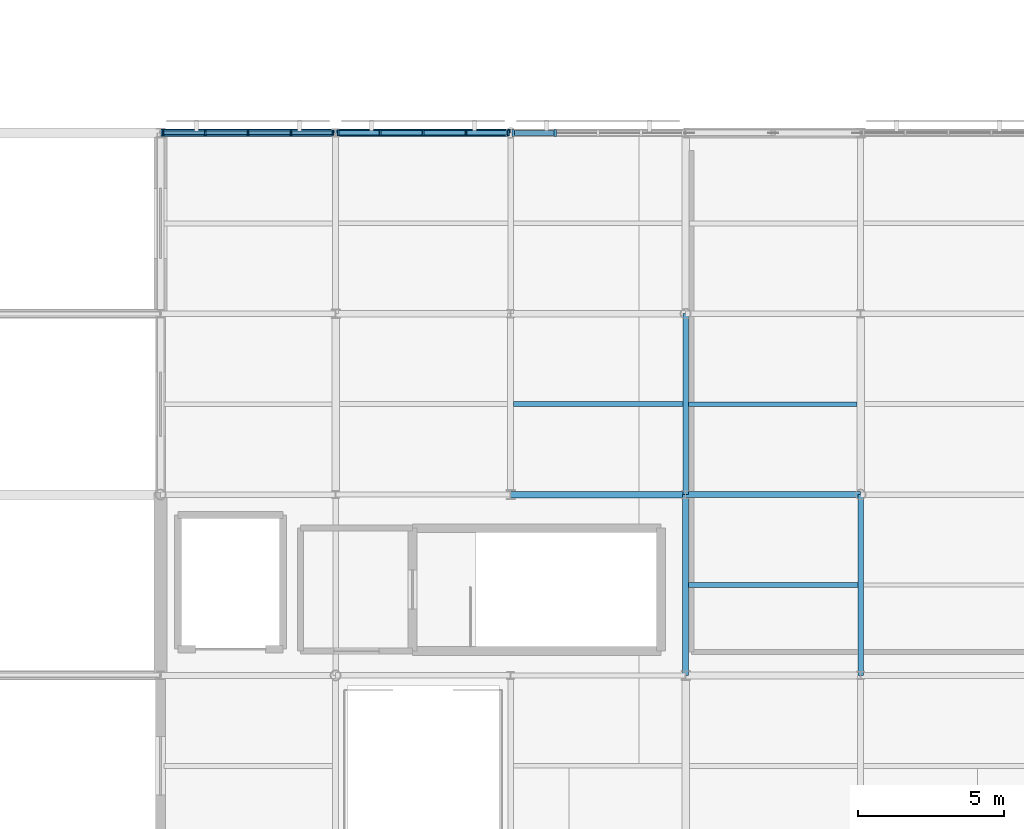
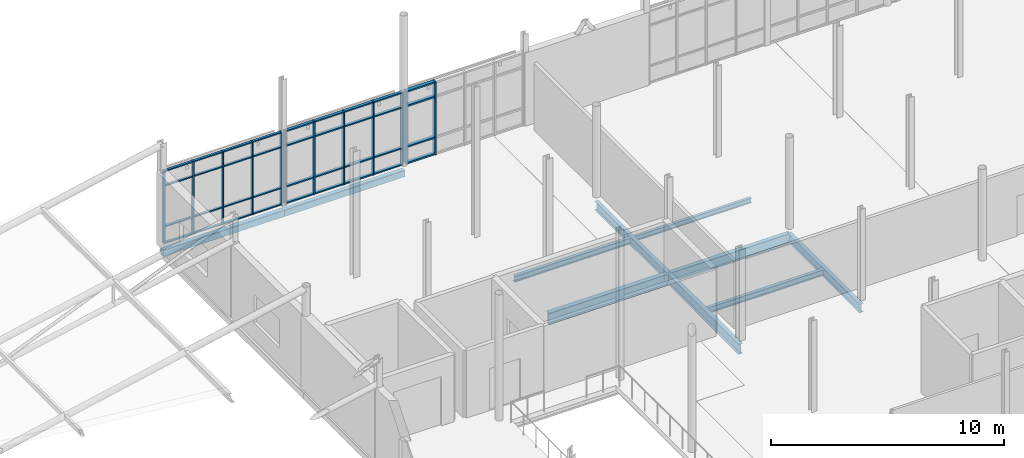
# One storey, part 30 of 84: 48 members, 10 beams, 3 elements without a shape of their own.
"""IFC4 building model written with IfcOpenShell, lengths in metres."""

from ifc_helpers import new_model, si_unit, direction, frame, origin, origin_2d, place, context, subcontext, project, spatial, rectangle, hollow_rectangle, i_section, extrude, material, layer, layer_set, material_profile, profile_set, type_object, element, aggregate, save


model = new_model("IFC4")

# Units and contexts
model_context = context("Model", 3, precision=1e-05, world=origin(), true_north=direction((0.0, 1.0)))
body_context = subcontext(model_context, "Body", "Model", "MODEL_VIEW")
ifc_project = project(units=[si_unit("LENGTHUNIT", "METRE"), si_unit("AREAUNIT", "SQUARE_METRE"), si_unit("VOLUMEUNIT", "CUBIC_METRE"), si_unit("PLANEANGLEUNIT", "RADIAN"), si_unit("MASSUNIT", "GRAM", prefix="KILO")], contexts=[model_context])

# Site, building, storey
site_placement = place(None, origin())
site = spatial("IfcSite", under=ifc_project, at=site_placement, CompositionType="ELEMENT")
building_placement = place(site_placement, origin())
building = spatial("IfcBuilding", under=site, at=building_placement, Name="Mirzam Square Science Centre", CompositionType="ELEMENT")
storey_placement = place(building_placement, frame((0.0, 0.0, 10.800048828125)))
storey = spatial("IfcBuildingStorey", under=building, at=storey_placement, Name="L02", CompositionType="ELEMENT", Elevation=10.800048828125)

# Beams
ifc_material_1 = material(Name="Steel S355", Category="steel")
ifc_material_profile_1 = material_profile(ifc_material_1, i_section(OverallWidth=0.19140625, OverallDepth=0.4599609375, WebThickness=0.010009765625, FlangeThickness=0.01611328125, FilletRadius=0.01025390625, at=origin_2d()), Name="457x191x82UB")
ifc_profile_set_1 = profile_set([ifc_material_profile_1], Name="Steel S355")
beam_type_1 = type_object("IfcBeamType", Name="BM-UB457", PredefinedType="BEAM", material=ifc_profile_set_1)
for number, where, z_axis, x_axis, name in (
    (1, (36.0, 68.199951171875, -0.489990234375), (0.0, 1.0, 0.0), (-1.0, 0.0, 0.0), "L02 girder Y7-12"),
    (2, (42.0, 62.0, -0.489990234375), (0.0, 1.0, 0.0), (-1.0, 0.0, 0.0), "L02 girder Y8-11"),
):
    element("IfcBeam", number, at=place(storey_placement, frame(where, z_axis=z_axis, x_axis=x_axis)), inside=storey, type_object=beam_type_1, Name=name, PredefinedType="BEAM", context=body_context, shape_type="SweptSolid", body=[
        extrude(i_section(OverallWidth=0.19140625, OverallDepth=0.4599609375, WebThickness=0.010009765625, FlangeThickness=0.01611328125, FilletRadius=0.01025390625, at=origin_2d()), origin(), (0.0, 0.0, 1.0), 6.199951171875),
    ])
ifc_material_profile_2 = material_profile(ifc_material_1, i_section(OverallWidth=0.2099609375, OverallDepth=0.53662109375, WebThickness=0.0107421875, FlangeThickness=0.017333984375, FilletRadius=0.0126953125, at=origin_2d()), Name="533x210x101UB")
ifc_profile_set_2 = profile_set([ifc_material_profile_2], Name="Steel S355")
beam_type_2 = type_object("IfcBeamType", Name="BM-UB533", PredefinedType="BEAM", material=ifc_profile_set_2)
beam_1_placement = place(storey_placement, frame((36.0, 68.199951171875, -0.528564453125), z_axis=(1.0, 0.0, 0.0), x_axis=(0.0, 1.0, 0.0)))
element("IfcBeam", 3, at=beam_1_placement, inside=storey, type_object=beam_type_2, Name="L02 girder X7-12", PredefinedType="BEAM", context=body_context, shape_type="SweptSolid", body=[
    extrude(i_section(OverallWidth=0.2099609375, OverallDepth=0.53662109375, WebThickness=0.0107421875, FlangeThickness=0.017333984375, FilletRadius=0.0126953125, at=origin_2d()), origin(), (0.0, 0.0, 1.0), 6.0),
])
beam_2_placement = place(storey_placement, frame((36.0, 62.0, -0.528564453125), z_axis=(0.0, 1.0, 0.0), x_axis=(-1.0, 0.0, 0.0)))
element("IfcBeam", 4, at=beam_2_placement, inside=storey, type_object=beam_type_2, Name="L02 girder Y7-11", PredefinedType="BEAM", context=body_context, shape_type="SweptSolid", body=[
    extrude(i_section(OverallWidth=0.2099609375, OverallDepth=0.53662109375, WebThickness=0.0107421875, FlangeThickness=0.017333984375, FilletRadius=0.0126953125, at=origin_2d()), origin(), (0.0, 0.0, 1.0), 6.199951171875),
])
ifc_material_profile_3 = material_profile(ifc_material_1, i_section(OverallWidth=0.22900390625, OverallDepth=0.6123046875, WebThickness=0.011962890625, FlangeThickness=0.01953125, FilletRadius=0.0126953125, at=origin_2d()), Name="610x229x125UB")
ifc_profile_set_3 = profile_set([ifc_material_profile_3], Name="Steel S355")
beam_type_3 = type_object("IfcBeamType", Name="BM-UB610", PredefinedType="BEAM", material=ifc_profile_set_3)
beam_3_placement = place(storey_placement, frame((30.0, 68.199951171875, -0.566162109375), z_axis=(1.0, 0.0, 0.0), x_axis=(0.0, 1.0, 0.0)))
element("IfcBeam", 5, at=beam_3_placement, inside=storey, type_object=beam_type_3, Name="L02 girder X6-12", PredefinedType="BEAM", context=body_context, shape_type="SweptSolid", body=[
    extrude(i_section(OverallWidth=0.22900390625, OverallDepth=0.6123046875, WebThickness=0.011962890625, FlangeThickness=0.01953125, FilletRadius=0.0126953125, at=origin_2d()), origin(), (0.0, 0.0, 1.0), 6.0),
])

# Curtain wall, members
ifc_material_2 = material(Name="Anodised Aluminium and Low-E Solar Glass", Category="aluminium")
ifc_layer_1 = layer(ifc_material_2, 0.219970703125)
ifc_layer_set_1 = layer_set([ifc_layer_1], Name="CW-OBS-A")
curtain_wall_type_1 = type_object("IfcCurtainWallType", Name="CW-OBS-A", PredefinedType="USERDEFINED", material=ifc_layer_set_1)
curtain_wall_1_placement = place(storey_placement, origin())
curtain_wall_1 = element("IfcCurtainWall", 6, at=curtain_wall_1_placement, inside=storey, type_object=curtain_wall_type_1, Name="L02 unitised curtain wall 21", ObjectType="UNITISED CURTAIN WALL", PredefinedType="USERDEFINED")
ifc_material_3 = material(Name="Anodised Architectural Aluminium 6063-T6", Category="aluminium")
ifc_material_profile_4 = material_profile(ifc_material_3, rectangle(XDim=0.06005859375, YDim=0.159912109375, at=origin_2d()), Name="ALU-MULL-160x60x4")
ifc_profile_set_4 = profile_set([ifc_material_profile_4], Name="Anodised Architectural Aluminium 6063-T6")
member_type_1 = type_object("IfcMemberType", Name="CWM-160", PredefinedType="MULLION", material=ifc_profile_set_4)
member_1_placement = place(storey_placement, frame((23.9150390625, 80.60009765625, 0.0), z_axis=(0.0, 0.0, 1.0), x_axis=(-1.0, 0.0, 0.0)))
member_1 = element("IfcMember", 7, at=member_1_placement, type_object=member_type_1, Name="CW-07 mullion 1", PredefinedType="MULLION", context=body_context, shape_type="SweptSolid", body=[
    extrude(rectangle(XDim=0.06005859375, YDim=0.159912109375, at=origin_2d()), origin(), (0.0, 0.0, 1.0), 3.83984375),
])
member_2_placement = place(storey_placement, frame((22.472412109375, 80.60009765625, 0.0), z_axis=(0.0, 0.0, 1.0), x_axis=(-1.0, 0.0, 0.0)))
member_2 = element("IfcMember", 8, at=member_2_placement, type_object=member_type_1, Name="CW-07 mullion 2", PredefinedType="MULLION", context=body_context, shape_type="SweptSolid", body=[
    extrude(rectangle(XDim=0.06005859375, YDim=0.159912109375, at=origin_2d()), origin(), (0.0, 0.0, 1.0), 3.83984375),
])
member_3_placement = place(storey_placement, frame((21.0, 80.60009765625, 0.0), z_axis=(0.0, 0.0, 1.0), x_axis=(-1.0, 0.0, 0.0)))
member_3 = element("IfcMember", 9, at=member_3_placement, type_object=member_type_1, Name="CW-07 mullion 3", PredefinedType="MULLION", context=body_context, shape_type="SweptSolid", body=[
    extrude(rectangle(XDim=0.06005859375, YDim=0.159912109375, at=origin_2d()), origin(), (0.0, 0.0, 1.0), 3.83984375),
])
member_4_placement = place(storey_placement, frame((19.527587890625, 80.60009765625, 0.0), z_axis=(0.0, 0.0, 1.0), x_axis=(-1.0, 0.0, 0.0)))
member_4 = element("IfcMember", 10, at=member_4_placement, type_object=member_type_1, Name="CW-07 mullion 4", PredefinedType="MULLION", context=body_context, shape_type="SweptSolid", body=[
    extrude(rectangle(XDim=0.06005859375, YDim=0.159912109375, at=origin_2d()), origin(), (0.0, 0.0, 1.0), 3.83984375),
])
member_5_placement = place(storey_placement, frame((18.0849609375, 80.60009765625, 0.0), z_axis=(0.0, 0.0, 1.0), x_axis=(-1.0, 0.0, 0.0)))
member_5 = element("IfcMember", 11, at=member_5_placement, type_object=member_type_1, Name="CW-07 mullion 5", PredefinedType="MULLION", context=body_context, shape_type="SweptSolid", body=[
    extrude(rectangle(XDim=0.06005859375, YDim=0.159912109375, at=origin_2d()), origin(), (0.0, 0.0, 1.0), 3.83984375),
])

ifc_layer_2 = layer(ifc_material_2, 0.179931640625)
ifc_layer_set_2 = layer_set([ifc_layer_2], Name="CW-LINK-A")
curtain_wall_type_2 = type_object("IfcCurtainWallType", Name="CW-LINK-A", PredefinedType="USERDEFINED", material=ifc_layer_set_2)
curtain_wall_2_placement = place(storey_placement, origin())
curtain_wall_2 = element("IfcCurtainWall", 12, at=curtain_wall_2_placement, inside=storey, type_object=curtain_wall_type_2, Name="L02 unitised curtain wall 22", ObjectType="UNITISED CURTAIN WALL", PredefinedType="USERDEFINED")
ifc_material_profile_5 = material_profile(ifc_material_3, rectangle(XDim=0.06494140625, YDim=0.199951171875, at=origin_2d()), Name="ALU-MULL-200x65x5")
ifc_profile_set_5 = profile_set([ifc_material_profile_5], Name="Anodised Architectural Aluminium 6063-T6")
member_type_2 = type_object("IfcMemberType", Name="CWM-200", PredefinedType="MULLION", material=ifc_profile_set_5)
member_6_placement = place(storey_placement, frame((29.91259765625, 80.60009765625, 0.0), z_axis=(0.0, 0.0, 1.0), x_axis=(-1.0, 0.0, 0.0)))
member_6 = element("IfcMember", 13, at=member_6_placement, type_object=member_type_2, Name="CW-08 mullion 1", PredefinedType="MULLION", context=body_context, shape_type="SweptSolid", body=[
    extrude(rectangle(XDim=0.06494140625, YDim=0.199951171875, at=origin_2d()), origin(), (0.0, 0.0, 1.0), 3.83984375),
])
member_7_placement = place(storey_placement, frame((28.472412109375, 80.60009765625, 0.0), z_axis=(0.0, 0.0, 1.0), x_axis=(-1.0, 0.0, 0.0)))
member_7 = element("IfcMember", 14, at=member_7_placement, type_object=member_type_2, Name="CW-08 mullion 2", PredefinedType="MULLION", context=body_context, shape_type="SweptSolid", body=[
    extrude(rectangle(XDim=0.06494140625, YDim=0.199951171875, at=origin_2d()), origin(), (0.0, 0.0, 1.0), 3.83984375),
])
member_8_placement = place(storey_placement, frame((27.0, 80.60009765625, 0.0), z_axis=(0.0, 0.0, 1.0), x_axis=(-1.0, 0.0, 0.0)))
member_8 = element("IfcMember", 15, at=member_8_placement, type_object=member_type_2, Name="CW-08 mullion 3", PredefinedType="MULLION", context=body_context, shape_type="SweptSolid", body=[
    extrude(rectangle(XDim=0.06494140625, YDim=0.199951171875, at=origin_2d()), origin(), (0.0, 0.0, 1.0), 3.83984375),
])
member_9_placement = place(storey_placement, frame((25.527587890625, 80.60009765625, 0.0), z_axis=(0.0, 0.0, 1.0), x_axis=(-1.0, 0.0, 0.0)))
member_9 = element("IfcMember", 16, at=member_9_placement, type_object=member_type_2, Name="CW-08 mullion 4", PredefinedType="MULLION", context=body_context, shape_type="SweptSolid", body=[
    extrude(rectangle(XDim=0.06494140625, YDim=0.199951171875, at=origin_2d()), origin(), (0.0, 0.0, 1.0), 3.83984375),
])
member_10_placement = place(storey_placement, frame((24.08740234375, 80.60009765625, 0.0), z_axis=(0.0, 0.0, 1.0), x_axis=(-1.0, 0.0, 0.0)))
member_10 = element("IfcMember", 17, at=member_10_placement, type_object=member_type_2, Name="CW-08 mullion 5", PredefinedType="MULLION", context=body_context, shape_type="SweptSolid", body=[
    extrude(rectangle(XDim=0.06494140625, YDim=0.199951171875, at=origin_2d()), origin(), (0.0, 0.0, 1.0), 3.83984375),
])

ifc_layer_3 = layer(ifc_material_2, 0.179931640625)
ifc_layer_set_3 = layer_set([ifc_layer_3], Name="CW-PARK-A")
curtain_wall_type_3 = type_object("IfcCurtainWallType", Name="CW-PARK-A", PredefinedType="USERDEFINED", material=ifc_layer_set_3)
curtain_wall_3_placement = place(storey_placement, origin())
curtain_wall_3 = element("IfcCurtainWall", 18, at=curtain_wall_3_placement, inside=storey, type_object=curtain_wall_type_3, Name="L02 unitised curtain wall 23", ObjectType="UNITISED CURTAIN WALL", PredefinedType="USERDEFINED")
ifc_material_profile_6 = material_profile(ifc_material_3, rectangle(XDim=0.074951171875, YDim=0.239990234375, at=origin_2d()), Name="ALU-MULL-240x75x5")
ifc_profile_set_6 = profile_set([ifc_material_profile_6], Name="Anodised Architectural Aluminium 6063-T6")
member_type_3 = type_object("IfcMemberType", Name="CWM-240", PredefinedType="MULLION", material=ifc_profile_set_6)
member_11_placement = place(storey_placement, frame((31.527587890625, 80.60009765625, 0.0), z_axis=(0.0, 0.0, 1.0), x_axis=(-1.0, 0.0, 0.0)))
member_11 = element("IfcMember", 19, at=member_11_placement, type_object=member_type_3, Name="CW-01 mullion 4", PredefinedType="MULLION", context=body_context, shape_type="SweptSolid", body=[
    extrude(rectangle(XDim=0.074951171875, YDim=0.239990234375, at=origin_2d()), origin(), (0.0, 0.0, 1.0), 3.83984375),
])
member_12_placement = place(storey_placement, frame((30.092529296875, 80.60009765625, 0.0), z_axis=(0.0, 0.0, 1.0), x_axis=(-1.0, 0.0, 0.0)))
member_12 = element("IfcMember", 20, at=member_12_placement, type_object=member_type_3, Name="CW-01 mullion 5", PredefinedType="MULLION", context=body_context, shape_type="SweptSolid", body=[
    extrude(rectangle(XDim=0.074951171875, YDim=0.239990234375, at=origin_2d()), origin(), (0.0, 0.0, 1.0), 3.83984375),
])

# Member
ifc_material_profile_7 = material_profile(ifc_material_3, rectangle(XDim=0.1201171875, YDim=0.06005859375, at=origin_2d()), Name="ALU-TRAN-120x60x4")
ifc_profile_set_7 = profile_set([ifc_material_profile_7], Name="Anodised Architectural Aluminium 6063-T6")
member_type_4 = type_object("IfcMemberType", Name="CWT-120", PredefinedType="USERDEFINED", material=ifc_profile_set_7)
member_13_placement = place(storey_placement, frame((23.885009765625, 80.60009765625, 0.030029296875), z_axis=(-1.0, 0.0, 0.0), x_axis=(0.0, -1.0, 0.0)))
member_13 = element("IfcMember", 21, at=member_13_placement, type_object=member_type_4, Name="CW-07 transom 1.1", ObjectType="TRANSOM", PredefinedType="USERDEFINED", context=body_context, shape_type="SweptSolid", body=[
    extrude(rectangle(XDim=0.1201171875, YDim=0.06005859375, at=origin_2d()), origin(), (0.0, 0.0, 1.0), 1.382568359375),
])

member_14_placement = place(storey_placement, frame((23.885009765625, 80.60009765625, 0.89990234375), z_axis=(-1.0, 0.0, 0.0), x_axis=(0.0, -1.0, 0.0)))
member_14 = element("IfcMember", 22, at=member_14_placement, type_object=member_type_4, Name="CW-07 transom 1.2", ObjectType="TRANSOM", PredefinedType="USERDEFINED", context=body_context, shape_type="SweptSolid", body=[
    extrude(rectangle(XDim=0.1201171875, YDim=0.06005859375, at=origin_2d()), origin(), (0.0, 0.0, 1.0), 1.382568359375),
])

member_15_placement = place(storey_placement, frame((23.885009765625, 80.60009765625, 3.0400390625), z_axis=(-1.0, 0.0, 0.0), x_axis=(0.0, -1.0, 0.0)))
member_15 = element("IfcMember", 23, at=member_15_placement, type_object=member_type_4, Name="CW-07 transom 1.3", ObjectType="TRANSOM", PredefinedType="USERDEFINED", context=body_context, shape_type="SweptSolid", body=[
    extrude(rectangle(XDim=0.1201171875, YDim=0.06005859375, at=origin_2d()), origin(), (0.0, 0.0, 1.0), 1.382568359375),
])

member_16_placement = place(storey_placement, frame((23.885009765625, 80.60009765625, 3.81005859375), z_axis=(-1.0, 0.0, 0.0), x_axis=(0.0, -1.0, 0.0)))
member_16 = element("IfcMember", 24, at=member_16_placement, type_object=member_type_4, Name="CW-07 transom 1.4", ObjectType="TRANSOM", PredefinedType="USERDEFINED", context=body_context, shape_type="SweptSolid", body=[
    extrude(rectangle(XDim=0.1201171875, YDim=0.06005859375, at=origin_2d()), origin(), (0.0, 0.0, 1.0), 1.382568359375),
])

member_17_placement = place(storey_placement, frame((22.4423828125, 80.60009765625, 0.030029296875), z_axis=(-1.0, 0.0, 0.0), x_axis=(0.0, -1.0, 0.0)))
member_17 = element("IfcMember", 25, at=member_17_placement, type_object=member_type_4, Name="CW-07 transom 2.1", ObjectType="TRANSOM", PredefinedType="USERDEFINED", context=body_context, shape_type="SweptSolid", body=[
    extrude(rectangle(XDim=0.1201171875, YDim=0.06005859375, at=origin_2d()), origin(), (0.0, 0.0, 1.0), 1.412353515625),
])

member_18_placement = place(storey_placement, frame((22.4423828125, 80.60009765625, 0.89990234375), z_axis=(-1.0, 0.0, 0.0), x_axis=(0.0, -1.0, 0.0)))
member_18 = element("IfcMember", 26, at=member_18_placement, type_object=member_type_4, Name="CW-07 transom 2.2", ObjectType="TRANSOM", PredefinedType="USERDEFINED", context=body_context, shape_type="SweptSolid", body=[
    extrude(rectangle(XDim=0.1201171875, YDim=0.06005859375, at=origin_2d()), origin(), (0.0, 0.0, 1.0), 1.412353515625),
])

member_19_placement = place(storey_placement, frame((22.4423828125, 80.60009765625, 3.0400390625), z_axis=(-1.0, 0.0, 0.0), x_axis=(0.0, -1.0, 0.0)))
member_19 = element("IfcMember", 27, at=member_19_placement, type_object=member_type_4, Name="CW-07 transom 2.3", ObjectType="TRANSOM", PredefinedType="USERDEFINED", context=body_context, shape_type="SweptSolid", body=[
    extrude(rectangle(XDim=0.1201171875, YDim=0.06005859375, at=origin_2d()), origin(), (0.0, 0.0, 1.0), 1.412353515625),
])

member_20_placement = place(storey_placement, frame((22.4423828125, 80.60009765625, 3.81005859375), z_axis=(-1.0, 0.0, 0.0), x_axis=(0.0, -1.0, 0.0)))
member_20 = element("IfcMember", 28, at=member_20_placement, type_object=member_type_4, Name="CW-07 transom 2.4", ObjectType="TRANSOM", PredefinedType="USERDEFINED", context=body_context, shape_type="SweptSolid", body=[
    extrude(rectangle(XDim=0.1201171875, YDim=0.06005859375, at=origin_2d()), origin(), (0.0, 0.0, 1.0), 1.412353515625),
])

member_21_placement = place(storey_placement, frame((20.969970703125, 80.60009765625, 0.030029296875), z_axis=(-1.0, 0.0, 0.0), x_axis=(0.0, -1.0, 0.0)))
member_21 = element("IfcMember", 29, at=member_21_placement, type_object=member_type_4, Name="CW-07 transom 3.1", ObjectType="TRANSOM", PredefinedType="USERDEFINED", context=body_context, shape_type="SweptSolid", body=[
    extrude(rectangle(XDim=0.1201171875, YDim=0.06005859375, at=origin_2d()), origin(), (0.0, 0.0, 1.0), 1.412353515625),
])

member_22_placement = place(storey_placement, frame((20.969970703125, 80.60009765625, 0.89990234375), z_axis=(-1.0, 0.0, 0.0), x_axis=(0.0, -1.0, 0.0)))
member_22 = element("IfcMember", 30, at=member_22_placement, type_object=member_type_4, Name="CW-07 transom 3.2", ObjectType="TRANSOM", PredefinedType="USERDEFINED", context=body_context, shape_type="SweptSolid", body=[
    extrude(rectangle(XDim=0.1201171875, YDim=0.06005859375, at=origin_2d()), origin(), (0.0, 0.0, 1.0), 1.412353515625),
])

member_23_placement = place(storey_placement, frame((20.969970703125, 80.60009765625, 3.0400390625), z_axis=(-1.0, 0.0, 0.0), x_axis=(0.0, -1.0, 0.0)))
member_23 = element("IfcMember", 31, at=member_23_placement, type_object=member_type_4, Name="CW-07 transom 3.3", ObjectType="TRANSOM", PredefinedType="USERDEFINED", context=body_context, shape_type="SweptSolid", body=[
    extrude(rectangle(XDim=0.1201171875, YDim=0.06005859375, at=origin_2d()), origin(), (0.0, 0.0, 1.0), 1.412353515625),
])

member_24_placement = place(storey_placement, frame((20.969970703125, 80.60009765625, 3.81005859375), z_axis=(-1.0, 0.0, 0.0), x_axis=(0.0, -1.0, 0.0)))
member_24 = element("IfcMember", 32, at=member_24_placement, type_object=member_type_4, Name="CW-07 transom 3.4", ObjectType="TRANSOM", PredefinedType="USERDEFINED", context=body_context, shape_type="SweptSolid", body=[
    extrude(rectangle(XDim=0.1201171875, YDim=0.06005859375, at=origin_2d()), origin(), (0.0, 0.0, 1.0), 1.412353515625),
])

member_25_placement = place(storey_placement, frame((19.49755859375, 80.60009765625, 0.030029296875), z_axis=(-1.0, 0.0, 0.0), x_axis=(0.0, -1.0, 0.0)))
member_25 = element("IfcMember", 33, at=member_25_placement, type_object=member_type_4, Name="CW-07 transom 4.1", ObjectType="TRANSOM", PredefinedType="USERDEFINED", context=body_context, shape_type="SweptSolid", body=[
    extrude(rectangle(XDim=0.1201171875, YDim=0.06005859375, at=origin_2d()), origin(), (0.0, 0.0, 1.0), 1.382568359375),
])

member_26_placement = place(storey_placement, frame((19.49755859375, 80.60009765625, 0.89990234375), z_axis=(-1.0, 0.0, 0.0), x_axis=(0.0, -1.0, 0.0)))
member_26 = element("IfcMember", 34, at=member_26_placement, type_object=member_type_4, Name="CW-07 transom 4.2", ObjectType="TRANSOM", PredefinedType="USERDEFINED", context=body_context, shape_type="SweptSolid", body=[
    extrude(rectangle(XDim=0.1201171875, YDim=0.06005859375, at=origin_2d()), origin(), (0.0, 0.0, 1.0), 1.382568359375),
])

member_27_placement = place(storey_placement, frame((19.49755859375, 80.60009765625, 3.0400390625), z_axis=(-1.0, 0.0, 0.0), x_axis=(0.0, -1.0, 0.0)))
member_27 = element("IfcMember", 35, at=member_27_placement, type_object=member_type_4, Name="CW-07 transom 4.3", ObjectType="TRANSOM", PredefinedType="USERDEFINED", context=body_context, shape_type="SweptSolid", body=[
    extrude(rectangle(XDim=0.1201171875, YDim=0.06005859375, at=origin_2d()), origin(), (0.0, 0.0, 1.0), 1.382568359375),
])

member_28_placement = place(storey_placement, frame((19.49755859375, 80.60009765625, 3.81005859375), z_axis=(-1.0, 0.0, 0.0), x_axis=(0.0, -1.0, 0.0)))
member_28 = element("IfcMember", 36, at=member_28_placement, type_object=member_type_4, Name="CW-07 transom 4.4", ObjectType="TRANSOM", PredefinedType="USERDEFINED", context=body_context, shape_type="SweptSolid", body=[
    extrude(rectangle(XDim=0.1201171875, YDim=0.06005859375, at=origin_2d()), origin(), (0.0, 0.0, 1.0), 1.382568359375),
])

aggregate(curtain_wall_1, [member_1, member_2, member_3, member_4, member_5, member_13, member_14, member_15, member_16, member_17, member_18, member_19, member_20, member_21, member_22, member_23, member_24, member_25, member_26, member_27, member_28])

ifc_material_profile_8 = material_profile(ifc_material_3, rectangle(XDim=0.14990234375, YDim=0.06494140625, at=origin_2d()), Name="ALU-TRAN-150x65x4")
ifc_profile_set_8 = profile_set([ifc_material_profile_8], Name="Anodised Architectural Aluminium 6063-T6")
member_type_5 = type_object("IfcMemberType", Name="CWT-150", PredefinedType="USERDEFINED", material=ifc_profile_set_8)
member_29_placement = place(storey_placement, frame((29.8798828125, 80.60009765625, 0.032470703125), z_axis=(-1.0, 0.0, 0.0), x_axis=(0.0, -1.0, 0.0)))
member_29 = element("IfcMember", 37, at=member_29_placement, type_object=member_type_5, Name="CW-08 transom 1.1", ObjectType="TRANSOM", PredefinedType="USERDEFINED", context=body_context, shape_type="SweptSolid", body=[
    extrude(rectangle(XDim=0.14990234375, YDim=0.06494140625, at=origin_2d()), origin(), (0.0, 0.0, 1.0), 1.375),
])

member_30_placement = place(storey_placement, frame((29.8798828125, 80.60009765625, 0.89990234375), z_axis=(-1.0, 0.0, 0.0), x_axis=(0.0, -1.0, 0.0)))
member_30 = element("IfcMember", 38, at=member_30_placement, type_object=member_type_5, Name="CW-08 transom 1.2", ObjectType="TRANSOM", PredefinedType="USERDEFINED", context=body_context, shape_type="SweptSolid", body=[
    extrude(rectangle(XDim=0.14990234375, YDim=0.06494140625, at=origin_2d()), origin(), (0.0, 0.0, 1.0), 1.375),
])

member_31_placement = place(storey_placement, frame((29.8798828125, 80.60009765625, 3.0400390625), z_axis=(-1.0, 0.0, 0.0), x_axis=(0.0, -1.0, 0.0)))
member_31 = element("IfcMember", 39, at=member_31_placement, type_object=member_type_5, Name="CW-08 transom 1.3", ObjectType="TRANSOM", PredefinedType="USERDEFINED", context=body_context, shape_type="SweptSolid", body=[
    extrude(rectangle(XDim=0.14990234375, YDim=0.06494140625, at=origin_2d()), origin(), (0.0, 0.0, 1.0), 1.375),
])

member_32_placement = place(storey_placement, frame((29.8798828125, 80.60009765625, 3.807373046875), z_axis=(-1.0, 0.0, 0.0), x_axis=(0.0, -1.0, 0.0)))
member_32 = element("IfcMember", 40, at=member_32_placement, type_object=member_type_5, Name="CW-08 transom 1.4", ObjectType="TRANSOM", PredefinedType="USERDEFINED", context=body_context, shape_type="SweptSolid", body=[
    extrude(rectangle(XDim=0.14990234375, YDim=0.06494140625, at=origin_2d()), origin(), (0.0, 0.0, 1.0), 1.375),
])

member_33_placement = place(storey_placement, frame((28.43994140625, 80.60009765625, 0.032470703125), z_axis=(-1.0, 0.0, 0.0), x_axis=(0.0, -1.0, 0.0)))
member_33 = element("IfcMember", 41, at=member_33_placement, type_object=member_type_5, Name="CW-08 transom 2.1", ObjectType="TRANSOM", PredefinedType="USERDEFINED", context=body_context, shape_type="SweptSolid", body=[
    extrude(rectangle(XDim=0.14990234375, YDim=0.06494140625, at=origin_2d()), origin(), (0.0, 0.0, 1.0), 1.407470703125),
])

member_34_placement = place(storey_placement, frame((28.43994140625, 80.60009765625, 0.89990234375), z_axis=(-1.0, 0.0, 0.0), x_axis=(0.0, -1.0, 0.0)))
member_34 = element("IfcMember", 42, at=member_34_placement, type_object=member_type_5, Name="CW-08 transom 2.2", ObjectType="TRANSOM", PredefinedType="USERDEFINED", context=body_context, shape_type="SweptSolid", body=[
    extrude(rectangle(XDim=0.14990234375, YDim=0.06494140625, at=origin_2d()), origin(), (0.0, 0.0, 1.0), 1.407470703125),
])

member_35_placement = place(storey_placement, frame((28.43994140625, 80.60009765625, 3.0400390625), z_axis=(-1.0, 0.0, 0.0), x_axis=(0.0, -1.0, 0.0)))
member_35 = element("IfcMember", 43, at=member_35_placement, type_object=member_type_5, Name="CW-08 transom 2.3", ObjectType="TRANSOM", PredefinedType="USERDEFINED", context=body_context, shape_type="SweptSolid", body=[
    extrude(rectangle(XDim=0.14990234375, YDim=0.06494140625, at=origin_2d()), origin(), (0.0, 0.0, 1.0), 1.407470703125),
])

member_36_placement = place(storey_placement, frame((28.43994140625, 80.60009765625, 3.807373046875), z_axis=(-1.0, 0.0, 0.0), x_axis=(0.0, -1.0, 0.0)))
member_36 = element("IfcMember", 44, at=member_36_placement, type_object=member_type_5, Name="CW-08 transom 2.4", ObjectType="TRANSOM", PredefinedType="USERDEFINED", context=body_context, shape_type="SweptSolid", body=[
    extrude(rectangle(XDim=0.14990234375, YDim=0.06494140625, at=origin_2d()), origin(), (0.0, 0.0, 1.0), 1.407470703125),
])

member_37_placement = place(storey_placement, frame((26.967529296875, 80.60009765625, 0.032470703125), z_axis=(-1.0, 0.0, 0.0), x_axis=(0.0, -1.0, 0.0)))
member_37 = element("IfcMember", 45, at=member_37_placement, type_object=member_type_5, Name="CW-08 transom 3.1", ObjectType="TRANSOM", PredefinedType="USERDEFINED", context=body_context, shape_type="SweptSolid", body=[
    extrude(rectangle(XDim=0.14990234375, YDim=0.06494140625, at=origin_2d()), origin(), (0.0, 0.0, 1.0), 1.407470703125),
])

member_38_placement = place(storey_placement, frame((26.967529296875, 80.60009765625, 0.89990234375), z_axis=(-1.0, 0.0, 0.0), x_axis=(0.0, -1.0, 0.0)))
member_38 = element("IfcMember", 46, at=member_38_placement, type_object=member_type_5, Name="CW-08 transom 3.2", ObjectType="TRANSOM", PredefinedType="USERDEFINED", context=body_context, shape_type="SweptSolid", body=[
    extrude(rectangle(XDim=0.14990234375, YDim=0.06494140625, at=origin_2d()), origin(), (0.0, 0.0, 1.0), 1.407470703125),
])

member_39_placement = place(storey_placement, frame((26.967529296875, 80.60009765625, 3.0400390625), z_axis=(-1.0, 0.0, 0.0), x_axis=(0.0, -1.0, 0.0)))
member_39 = element("IfcMember", 47, at=member_39_placement, type_object=member_type_5, Name="CW-08 transom 3.3", ObjectType="TRANSOM", PredefinedType="USERDEFINED", context=body_context, shape_type="SweptSolid", body=[
    extrude(rectangle(XDim=0.14990234375, YDim=0.06494140625, at=origin_2d()), origin(), (0.0, 0.0, 1.0), 1.407470703125),
])

member_40_placement = place(storey_placement, frame((26.967529296875, 80.60009765625, 3.807373046875), z_axis=(-1.0, 0.0, 0.0), x_axis=(0.0, -1.0, 0.0)))
member_40 = element("IfcMember", 48, at=member_40_placement, type_object=member_type_5, Name="CW-08 transom 3.4", ObjectType="TRANSOM", PredefinedType="USERDEFINED", context=body_context, shape_type="SweptSolid", body=[
    extrude(rectangle(XDim=0.14990234375, YDim=0.06494140625, at=origin_2d()), origin(), (0.0, 0.0, 1.0), 1.407470703125),
])

member_41_placement = place(storey_placement, frame((25.4951171875, 80.60009765625, 0.032470703125), z_axis=(-1.0, 0.0, 0.0), x_axis=(0.0, -1.0, 0.0)))
member_41 = element("IfcMember", 49, at=member_41_placement, type_object=member_type_5, Name="CW-08 transom 4.1", ObjectType="TRANSOM", PredefinedType="USERDEFINED", context=body_context, shape_type="SweptSolid", body=[
    extrude(rectangle(XDim=0.14990234375, YDim=0.06494140625, at=origin_2d()), origin(), (0.0, 0.0, 1.0), 1.375),
])

member_42_placement = place(storey_placement, frame((25.4951171875, 80.60009765625, 0.89990234375), z_axis=(-1.0, 0.0, 0.0), x_axis=(0.0, -1.0, 0.0)))
member_42 = element("IfcMember", 50, at=member_42_placement, type_object=member_type_5, Name="CW-08 transom 4.2", ObjectType="TRANSOM", PredefinedType="USERDEFINED", context=body_context, shape_type="SweptSolid", body=[
    extrude(rectangle(XDim=0.14990234375, YDim=0.06494140625, at=origin_2d()), origin(), (0.0, 0.0, 1.0), 1.375),
])

member_43_placement = place(storey_placement, frame((25.4951171875, 80.60009765625, 3.0400390625), z_axis=(-1.0, 0.0, 0.0), x_axis=(0.0, -1.0, 0.0)))
member_43 = element("IfcMember", 51, at=member_43_placement, type_object=member_type_5, Name="CW-08 transom 4.3", ObjectType="TRANSOM", PredefinedType="USERDEFINED", context=body_context, shape_type="SweptSolid", body=[
    extrude(rectangle(XDim=0.14990234375, YDim=0.06494140625, at=origin_2d()), origin(), (0.0, 0.0, 1.0), 1.375),
])

member_44_placement = place(storey_placement, frame((25.4951171875, 80.60009765625, 3.807373046875), z_axis=(-1.0, 0.0, 0.0), x_axis=(0.0, -1.0, 0.0)))
member_44 = element("IfcMember", 52, at=member_44_placement, type_object=member_type_5, Name="CW-08 transom 4.4", ObjectType="TRANSOM", PredefinedType="USERDEFINED", context=body_context, shape_type="SweptSolid", body=[
    extrude(rectangle(XDim=0.14990234375, YDim=0.06494140625, at=origin_2d()), origin(), (0.0, 0.0, 1.0), 1.375),
])

aggregate(curtain_wall_2, [member_6, member_7, member_8, member_9, member_10, member_29, member_30, member_31, member_32, member_33, member_34, member_35, member_36, member_37, member_38, member_39, member_40, member_41, member_42, member_43, member_44])

ifc_material_profile_9 = material_profile(ifc_material_3, rectangle(XDim=0.179931640625, YDim=0.074951171875, at=origin_2d()), Name="ALU-TRAN-180x75x5")
ifc_profile_set_9 = profile_set([ifc_material_profile_9], Name="Anodised Architectural Aluminium 6063-T6")
member_type_6 = type_object("IfcMemberType", Name="CWT-180", PredefinedType="USERDEFINED", material=ifc_profile_set_9)
member_45_placement = place(storey_placement, frame((31.489990234375, 80.60009765625, 0.037353515625), z_axis=(-1.0, 0.0, 0.0), x_axis=(0.0, -1.0, 0.0)))
member_45 = element("IfcMember", 53, at=member_45_placement, type_object=member_type_6, Name="CW-01 transom 4.1", ObjectType="TRANSOM", PredefinedType="USERDEFINED", context=body_context, shape_type="SweptSolid", body=[
    extrude(rectangle(XDim=0.179931640625, YDim=0.074951171875, at=origin_2d()), origin(), (0.0, 0.0, 1.0), 1.360107421875),
])

member_46_placement = place(storey_placement, frame((31.489990234375, 80.60009765625, 0.89990234375), z_axis=(-1.0, 0.0, 0.0), x_axis=(0.0, -1.0, 0.0)))
member_46 = element("IfcMember", 54, at=member_46_placement, type_object=member_type_6, Name="CW-01 transom 4.2", ObjectType="TRANSOM", PredefinedType="USERDEFINED", context=body_context, shape_type="SweptSolid", body=[
    extrude(rectangle(XDim=0.179931640625, YDim=0.074951171875, at=origin_2d()), origin(), (0.0, 0.0, 1.0), 1.360107421875),
])

member_47_placement = place(storey_placement, frame((31.489990234375, 80.60009765625, 3.0400390625), z_axis=(-1.0, 0.0, 0.0), x_axis=(0.0, -1.0, 0.0)))
member_47 = element("IfcMember", 55, at=member_47_placement, type_object=member_type_6, Name="CW-01 transom 4.3", ObjectType="TRANSOM", PredefinedType="USERDEFINED", context=body_context, shape_type="SweptSolid", body=[
    extrude(rectangle(XDim=0.179931640625, YDim=0.074951171875, at=origin_2d()), origin(), (0.0, 0.0, 1.0), 1.360107421875),
])

member_48_placement = place(storey_placement, frame((31.489990234375, 80.60009765625, 3.802490234375), z_axis=(-1.0, 0.0, 0.0), x_axis=(0.0, -1.0, 0.0)))
member_48 = element("IfcMember", 56, at=member_48_placement, type_object=member_type_6, Name="CW-01 transom 4.4", ObjectType="TRANSOM", PredefinedType="USERDEFINED", context=body_context, shape_type="SweptSolid", body=[
    extrude(rectangle(XDim=0.179931640625, YDim=0.074951171875, at=origin_2d()), origin(), (0.0, 0.0, 1.0), 1.360107421875),
])

aggregate(curtain_wall_3, [member_11, member_12, member_45, member_46, member_47, member_48])

# Beams
ifc_material_profile_10 = material_profile(ifc_material_1, i_section(OverallWidth=0.146484375, OverallDepth=0.256103515625, WebThickness=0.00634765625, FlangeThickness=0.010986328125, FilletRadius=0.007568359375, at=origin_2d()), Name="254x146x37UB")
ifc_profile_set_10 = profile_set([ifc_material_profile_10], Name="Steel S355")
beam_type_4 = type_object("IfcBeamType", Name="JS-UB254", PredefinedType="JOIST", material=ifc_profile_set_10)
beam_4_placement = place(storey_placement, frame((36.095703125, 71.300048828125, -0.387939453125), z_axis=(1.0, 0.0, 0.0), x_axis=(0.0, 1.0, 0.0)))
element("IfcBeam", 57, at=beam_4_placement, inside=storey, type_object=beam_type_4, Name="L02 composite joist 7-12", PredefinedType="JOIST", context=body_context, shape_type="SweptSolid", body=[
    extrude(i_section(OverallWidth=0.146484375, OverallDepth=0.256103515625, WebThickness=0.00634765625, FlangeThickness=0.010986328125, FilletRadius=0.007568359375, at=origin_2d()), origin(), (0.0, 0.0, 1.0), 5.777099609375),
])
ifc_material_profile_11 = material_profile(ifc_material_1, i_section(OverallWidth=0.165771484375, OverallDepth=0.306640625, WebThickness=0.006591796875, FlangeThickness=0.01171875, FilletRadius=0.0087890625, at=origin_2d()), Name="305x165x46UB")
ifc_profile_set_11 = profile_set([ifc_material_profile_11], Name="Steel S355")
beam_type_5 = type_object("IfcBeamType", Name="JS-UB305", PredefinedType="JOIST", material=ifc_profile_set_11)
for number, where, z_axis, x_axis, name in (
    (58, (30.10498046875, 71.300048828125, -0.413330078125), (1.0, 0.0, 0.0), (0.0, 1.0, 0.0), "L02 composite joist 6-12"),
    (59, (36.10498046875, 65.10009765625, -0.413330078125), (1.0, 0.0, 0.0), (0.0, 1.0, 0.0), "L02 composite joist 7-11"),
):
    element("IfcBeam", number, at=place(storey_placement, frame(where, z_axis=z_axis, x_axis=x_axis)), inside=storey, type_object=beam_type_5, Name=name, PredefinedType="JOIST", context=body_context, shape_type="SweptSolid", body=[
        extrude(i_section(OverallWidth=0.165771484375, OverallDepth=0.306640625, WebThickness=0.006591796875, FlangeThickness=0.01171875, FilletRadius=0.0087890625, at=origin_2d()), origin(), (0.0, 0.0, 1.0), 5.79931640625),
    ])
ifc_material_profile_12 = material_profile(ifc_material_1, hollow_rectangle(XDim=0.25, YDim=0.35009765625, WallThickness=0.012451171875, InnerFilletRadius=0.012451171875, OuterFilletRadius=0.02490234375, at=origin_2d()), Name="350x250x12.5RHS")
ifc_profile_set_12 = profile_set([ifc_material_profile_12], Name="Steel S355")
beam_type_6 = type_object("IfcBeamType", Name="SP-RHS350", PredefinedType="SPANDREL", material=ifc_profile_set_12)
for number, where, z_axis, x_axis, name in (
    (60, (18.0, 80.60009765625, -0.43505859375), (1.0, 0.0, 0.0), (0.0, 1.0, 0.0), "L02 girder X4-14"),
    (61, (24.0, 80.60009765625, -0.43505859375), (1.0, 0.0, 0.0), (0.0, 1.0, 0.0), "L02 girder X5-14"),
):
    element("IfcBeam", number, at=place(storey_placement, frame(where, z_axis=z_axis, x_axis=x_axis)), inside=storey, type_object=beam_type_6, Name=name, PredefinedType="SPANDREL", context=body_context, shape_type="SweptSolid", body=[
        extrude(hollow_rectangle(XDim=0.25, YDim=0.35009765625, WallThickness=0.012451171875, InnerFilletRadius=0.012451171875, OuterFilletRadius=0.02490234375, at=origin_2d()), origin(), (0.0, 0.0, 1.0), 6.0),
    ])

save(model, "model.ifc")
